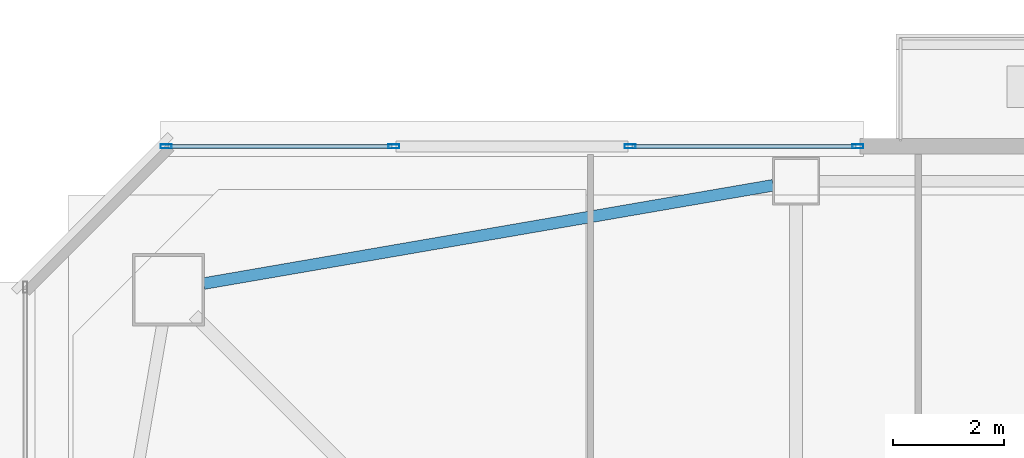
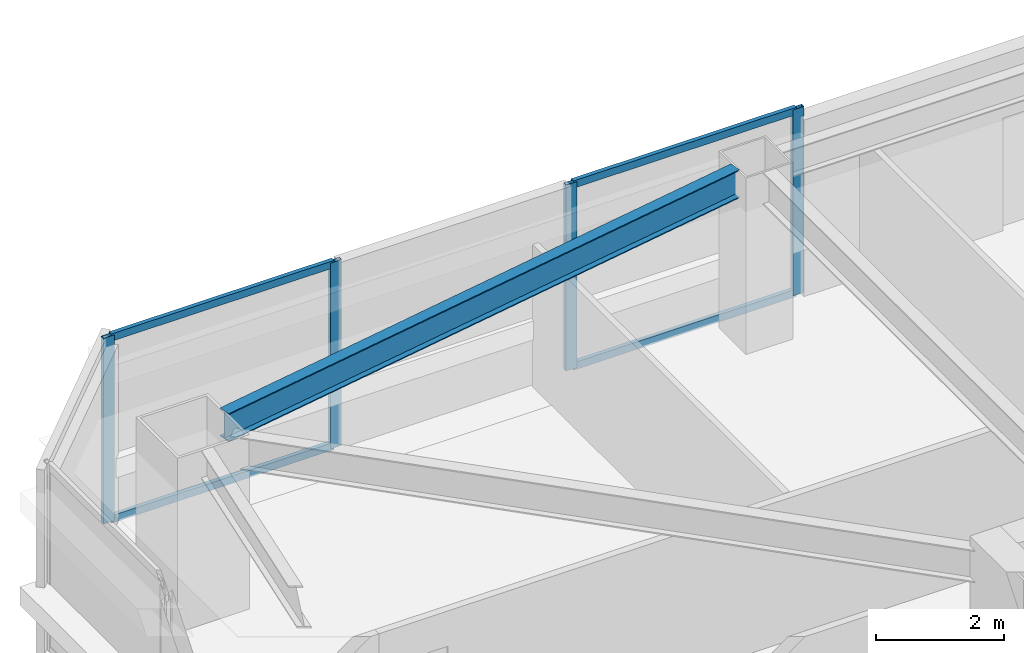
# One storey, part 15 of 46: 8 members, 1 beam, 2 elements without a shape of their own.
"""IFC4 building model written with IfcOpenShell, lengths in metres."""

from ifc_helpers import new_model, si_unit, direction, frame, origin, origin_2d, place, context, subcontext, project, spatial, hollow_rectangle, i_section, extrude, material, material_profile, profile_set, type_object, element, aggregate, save


model = new_model("IFC4")

# Units and contexts
model_context = context("Model", 3, precision=1e-05, world=origin(), true_north=direction((0.0, 1.0)))
body_context = subcontext(model_context, "Body", "Model", "MODEL_VIEW")
ifc_project = project(units=[si_unit("LENGTHUNIT", "METRE"), si_unit("AREAUNIT", "SQUARE_METRE"), si_unit("VOLUMEUNIT", "CUBIC_METRE"), si_unit("PLANEANGLEUNIT", "RADIAN"), si_unit("MASSUNIT", "GRAM", prefix="KILO")], contexts=[model_context])

# Site, building, storey
site_placement = place(None, origin())
site = spatial("IfcSite", under=ifc_project, at=site_placement, CompositionType="ELEMENT")
building_placement = place(site_placement, origin())
building = spatial("IfcBuilding", under=site, at=building_placement, Name="Tashvorn Skyway Center", CompositionType="ELEMENT")
storey_placement = place(building_placement, frame((0.0, 0.0, 139.25)))
storey = spatial("IfcBuildingStorey", under=building, at=storey_placement, Name="L37", CompositionType="ELEMENT", Elevation=139.25)

# Beam
ifc_material_1 = material(Name="Steel ASTM A992 Grade 50", Category="steel")
ifc_material_profile_1 = material_profile(ifc_material_1, i_section(OverallWidth=0.2109375, OverallDepth=0.5390625, WebThickness=0.01171875, FlangeThickness=0.018798828125, at=origin_2d()), Name="W21X73")
ifc_profile_set_1 = profile_set([ifc_material_profile_1], Name="Steel ASTM A992 Grade 50")
beam_type = type_object("IfcBeamType", Name="BM-SPANDREL-W21X73", PredefinedType="SPANDREL", material=ifc_profile_set_1)
beam_placement = place(storey_placement, frame((36.18603515625, 50.57861328125, 3.1005859375), z_axis=(-0.985432458462, -0.170067250846, 0.0), x_axis=(0.170067250846, -0.985432458462, 0.0)))
element("IfcBeam", 1, at=beam_placement, inside=storey, type_object=beam_type, Name="Tower 1 L37 Spandrel Beam 09", PredefinedType="SPANDREL", context=body_context, shape_type="SweptSolid", body=[
    extrude(i_section(OverallWidth=0.2109375, OverallDepth=0.5390625, WebThickness=0.01171875, FlangeThickness=0.018798828125, at=origin_2d()), origin(), (0.0, 0.0, 1.0), 10.402099609375),
])

# Curtain wall, members
ifc_material_2 = material(Name="Thermally broken bronze-anodized aluminium 6063-T6", Category="aluminium")
curtain_wall_type = type_object("IfcCurtainWallType", Name="CW-CW-Z3", PredefinedType="NOTDEFINED", material=ifc_material_2)
curtain_wall_1_placement = place(storey_placement, origin())
curtain_wall_1 = element("IfcCurtainWall", 2, at=curtain_wall_1_placement, inside=storey, type_object=curtain_wall_type, Name="Tower 1 L37 North Curtain Wall L Glazing Group 1", PredefinedType="NOTDEFINED")
ifc_material_profile_2 = material_profile(ifc_material_2, hollow_rectangle(XDim=0.074951171875, YDim=0.199951171875, WallThickness=0.00439453125, at=origin_2d()), Name="ALU-MULL-75x200")
ifc_profile_set_2 = profile_set([ifc_material_profile_2], Name="Thermally broken bronze-anodized aluminium 6063-T6")
member_type_1 = type_object("IfcMemberType", Name="CWM-CW-Z3", PredefinedType="MULLION", material=ifc_profile_set_2)
member_1_placement = place(storey_placement, frame((25.257568359375, 51.280029296875, 0.0), z_axis=(0.0, 0.0, 1.0), x_axis=(0.0, 1.0, 0.0)))
member_1 = element("IfcMember", 3, at=member_1_placement, type_object=member_type_1, Name="CW-Z3 mullion 1", PredefinedType="MULLION", context=body_context, shape_type="SweptSolid", body=[
    extrude(hollow_rectangle(XDim=0.074951171875, YDim=0.199951171875, WallThickness=0.00439453125, at=origin_2d()), origin(), (0.0, 0.0, 1.0), 3.550048828125),
])
member_2_placement = place(storey_placement, frame((29.359130859375, 51.280029296875, 0.0), z_axis=(0.0, 0.0, 1.0), x_axis=(0.0, 1.0, 0.0)))
member_2 = element("IfcMember", 4, at=member_2_placement, type_object=member_type_1, Name="CW-Z3 mullion 2", PredefinedType="MULLION", context=body_context, shape_type="SweptSolid", body=[
    extrude(hollow_rectangle(XDim=0.074951171875, YDim=0.199951171875, WallThickness=0.00439453125, at=origin_2d()), origin(), (0.0, 0.0, 1.0), 3.550048828125),
])

curtain_wall_2_placement = place(storey_placement, origin())
curtain_wall_2 = element("IfcCurtainWall", 5, at=curtain_wall_2_placement, inside=storey, type_object=curtain_wall_type, Name="Tower 1 L37 North Curtain Wall L Glazing Group 2", PredefinedType="NOTDEFINED")
member_3_placement = place(storey_placement, frame((33.61083984375, 51.280029296875, 0.0), z_axis=(0.0, 0.0, 1.0), x_axis=(0.0, 1.0, 0.0)))
member_3 = element("IfcMember", 6, at=member_3_placement, type_object=member_type_1, Name="CW-Z3 mullion 1", PredefinedType="MULLION", context=body_context, shape_type="SweptSolid", body=[
    extrude(hollow_rectangle(XDim=0.074951171875, YDim=0.199951171875, WallThickness=0.00439453125, at=origin_2d()), origin(), (0.0, 0.0, 1.0), 3.550048828125),
])
member_4_placement = place(storey_placement, frame((37.71240234375, 51.280029296875, 0.0), z_axis=(0.0, 0.0, 1.0), x_axis=(0.0, 1.0, 0.0)))
member_4 = element("IfcMember", 7, at=member_4_placement, type_object=member_type_1, Name="CW-Z3 mullion 2", PredefinedType="MULLION", context=body_context, shape_type="SweptSolid", body=[
    extrude(hollow_rectangle(XDim=0.074951171875, YDim=0.199951171875, WallThickness=0.00439453125, at=origin_2d()), origin(), (0.0, 0.0, 1.0), 3.550048828125),
])

# Member
ifc_material_profile_3 = material_profile(ifc_material_2, hollow_rectangle(XDim=0.074951171875, YDim=0.139892578125, WallThickness=0.004150390625, at=origin_2d()), Name="ALU-TRAN-75x140")
ifc_profile_set_3 = profile_set([ifc_material_profile_3], Name="Thermally broken bronze-anodized aluminium 6063-T6")
member_type_2 = type_object("IfcMemberType", Name="CWT-CW-Z3", PredefinedType="USERDEFINED", material=ifc_profile_set_3)
member_5_placement = place(storey_placement, frame((25.294921875, 51.280029296875, 0.03759765625), z_axis=(1.0, 0.0, 0.0), x_axis=(0.0, 1.0, 0.0)))
member_5 = element("IfcMember", 8, at=member_5_placement, type_object=member_type_2, Name="CW-Z3 transom 1.1", ObjectType="TRANSOM", PredefinedType="USERDEFINED", context=body_context, shape_type="SweptSolid", body=[
    extrude(hollow_rectangle(XDim=0.074951171875, YDim=0.139892578125, WallThickness=0.004150390625, at=origin_2d()), origin(), (0.0, 0.0, 1.0), 4.02685546875),
])

member_6_placement = place(storey_placement, frame((25.294921875, 51.280029296875, 3.512451171875), z_axis=(1.0, 0.0, 0.0), x_axis=(0.0, 1.0, 0.0)))
member_6 = element("IfcMember", 9, at=member_6_placement, type_object=member_type_2, Name="CW-Z3 transom 1.2", ObjectType="TRANSOM", PredefinedType="USERDEFINED", context=body_context, shape_type="SweptSolid", body=[
    extrude(hollow_rectangle(XDim=0.074951171875, YDim=0.139892578125, WallThickness=0.004150390625, at=origin_2d()), origin(), (0.0, 0.0, 1.0), 4.02685546875),
])

aggregate(curtain_wall_1, [member_1, member_2, member_5, member_6])

member_7_placement = place(storey_placement, frame((33.648193359375, 51.280029296875, 0.03759765625), z_axis=(1.0, 0.0, 0.0), x_axis=(0.0, 1.0, 0.0)))
member_7 = element("IfcMember", 10, at=member_7_placement, type_object=member_type_2, Name="CW-Z3 transom 1.1", ObjectType="TRANSOM", PredefinedType="USERDEFINED", context=body_context, shape_type="SweptSolid", body=[
    extrude(hollow_rectangle(XDim=0.074951171875, YDim=0.139892578125, WallThickness=0.004150390625, at=origin_2d()), origin(), (0.0, 0.0, 1.0), 4.02685546875),
])

member_8_placement = place(storey_placement, frame((33.648193359375, 51.280029296875, 3.512451171875), z_axis=(1.0, 0.0, 0.0), x_axis=(0.0, 1.0, 0.0)))
member_8 = element("IfcMember", 11, at=member_8_placement, type_object=member_type_2, Name="CW-Z3 transom 1.2", ObjectType="TRANSOM", PredefinedType="USERDEFINED", context=body_context, shape_type="SweptSolid", body=[
    extrude(hollow_rectangle(XDim=0.074951171875, YDim=0.139892578125, WallThickness=0.004150390625, at=origin_2d()), origin(), (0.0, 0.0, 1.0), 4.02685546875),
])

aggregate(curtain_wall_2, [member_3, member_4, member_7, member_8])

save(model, "model.ifc")
